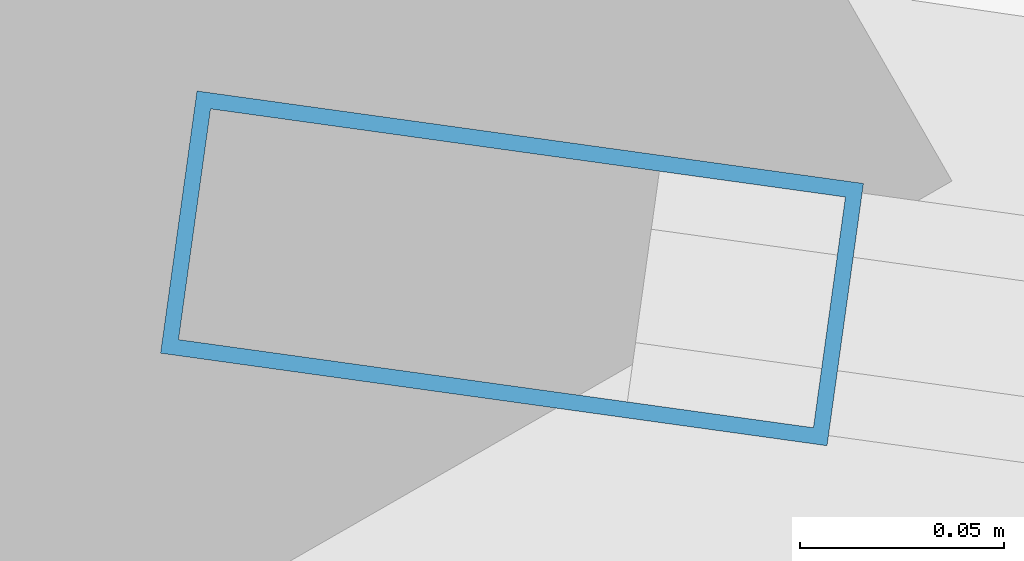
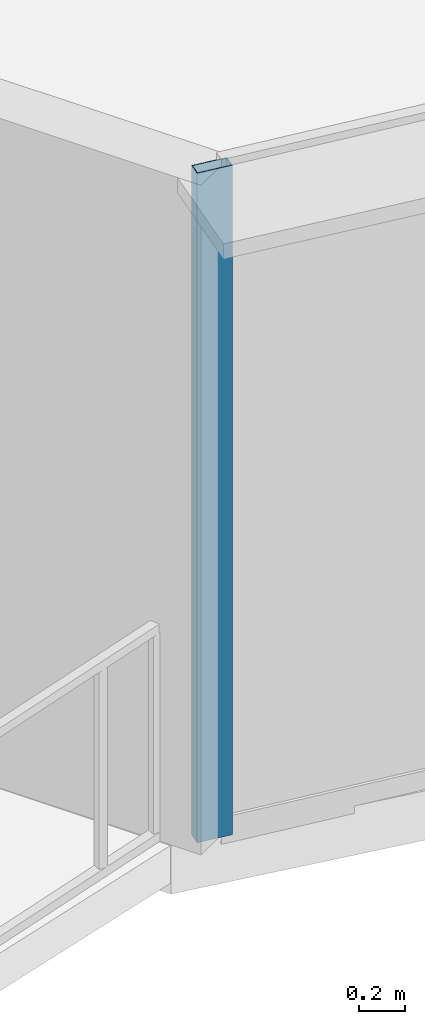
# One storey, part 2 of 38: 1 member, 1 element without a shape of its own.
"""IFC4 building model written with IfcOpenShell, lengths in metres."""

from ifc_helpers import new_model, si_unit, direction, frame, origin, origin_2d, place, context, subcontext, project, spatial, hollow_rectangle, extrude, source, transform, mapped, material, layer, layer_set, material_profile, profile_set, type_object, element, aggregate, save


model = new_model("IFC4")

# Units and contexts
model_context = context("Model", 3, precision=1e-05, world=origin(), true_north=direction((0.0, 1.0)))
body_context = subcontext(model_context, "Body", "Model", "MODEL_VIEW")
ifc_project = project(units=[si_unit("LENGTHUNIT", "METRE"), si_unit("AREAUNIT", "SQUARE_METRE"), si_unit("VOLUMEUNIT", "CUBIC_METRE"), si_unit("PLANEANGLEUNIT", "RADIAN"), si_unit("MASSUNIT", "GRAM", prefix="KILO"), si_unit("THERMODYNAMICTEMPERATUREUNIT", "KELVIN"), si_unit("POWERUNIT", "WATT")], contexts=[model_context])

# Site, building, storey
site_placement = place(None, origin())
site = spatial("IfcSite", under=ifc_project, at=site_placement, CompositionType="ELEMENT")
building_placement = place(site_placement, origin())
building = spatial("IfcBuilding", under=site, at=building_placement, Name="Yunzhuo Pagoda Commons", CompositionType="ELEMENT")
storey_placement = place(building_placement, frame((0.0, 0.0, 81.179931640625)))
storey = spatial("IfcBuildingStorey", under=building, at=storey_placement, Name="L20", CompositionType="ELEMENT", Elevation=81.179931640625)

# Curtain wall, member
ifc_material = material(Name="Anodized aluminium 6063-T6", Category="aluminium")
ifc_layer = layer(ifc_material, 0.1650390625)
ifc_layer_set = layer_set([ifc_layer], Name="Anodized aluminium 6063-T6")
curtain_wall_type = type_object("IfcCurtainWallType", Name="CW-LOW Low-Zone Ribbon Curtain Wall", PredefinedType="NOTDEFINED", material=ifc_layer_set)
curtain_wall_placement = place(storey_placement, origin())
curtain_wall = element("IfcCurtainWall", 1, at=curtain_wall_placement, inside=storey, type_object=curtain_wall_type, Name="L20 curtain wall CW-L20-F1B1", PredefinedType="NOTDEFINED")
ifc_material_profile = material_profile(ifc_material, hollow_rectangle(XDim=0.06494140625, YDim=0.1650390625, WallThickness=0.00390625, at=origin_2d()), Name="Anodized aluminium 6063-T6")
ifc_profile_set = profile_set([ifc_material_profile], Name="Anodized aluminium 6063-T6")
member_type = type_object("IfcMemberType", Name="CW-LOW-M Mullion RHS 165x65x4", PredefinedType="MULLION", material=ifc_profile_set)
shared_shape = source(origin(), body_context, "Body", "SweptSolid", [
    extrude(hollow_rectangle(XDim=0.06494140625, YDim=0.1650390625, WallThickness=0.00390625, at=origin_2d()), origin(), (0.0, 0.0, 1.0), 3.5400390625),
])
member_placement = place(storey_placement, frame((10.494873046875, 15.00634765625, 0.0), z_axis=(0.0, 0.0, 1.0), x_axis=(0.137495700118, 0.990502363677, 0.0)))
member = element("IfcMember", 2, at=member_placement, type_object=member_type, Name="CW mullion 1", PredefinedType="MULLION", context=body_context, shape_type="MappedRepresentation", body=[
    mapped(shared_shape, transform((0.0, 0.0, 0.0), scale=1.0)),
])
aggregate(curtain_wall, [member])

save(model, "model.ifc")
